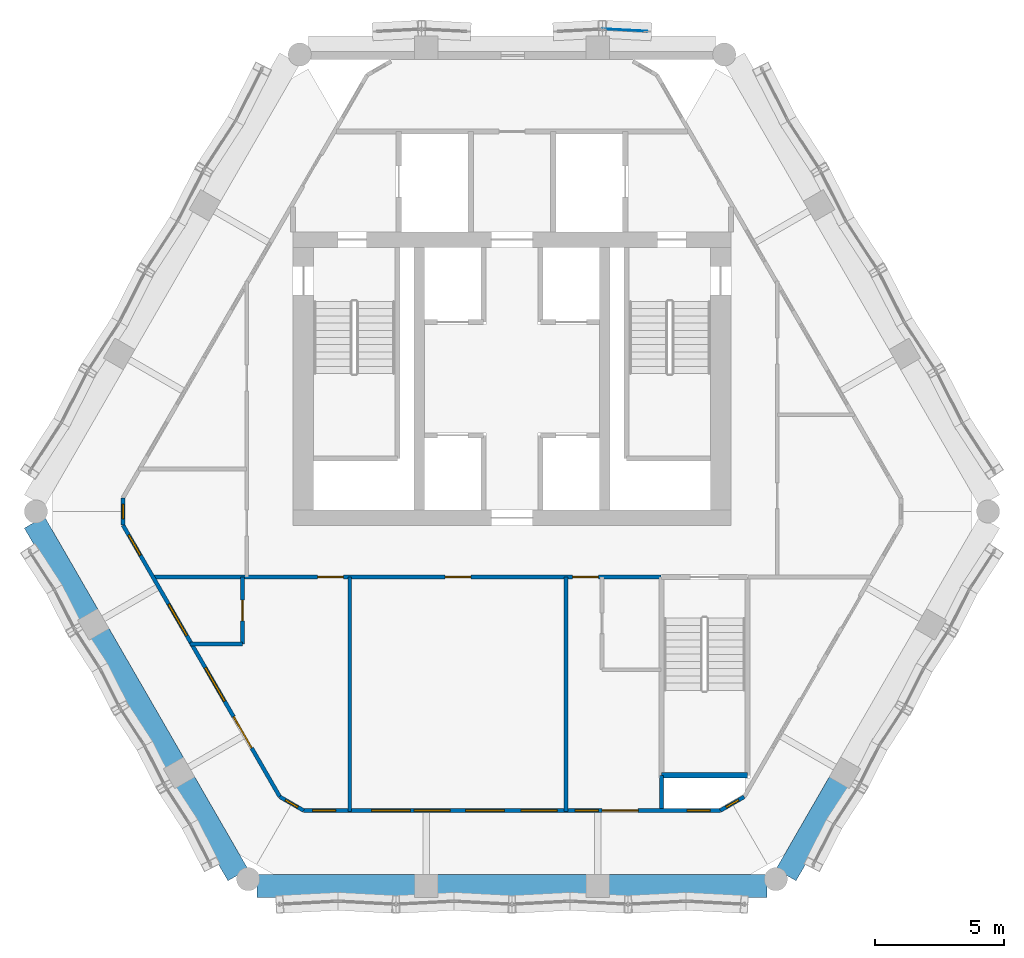
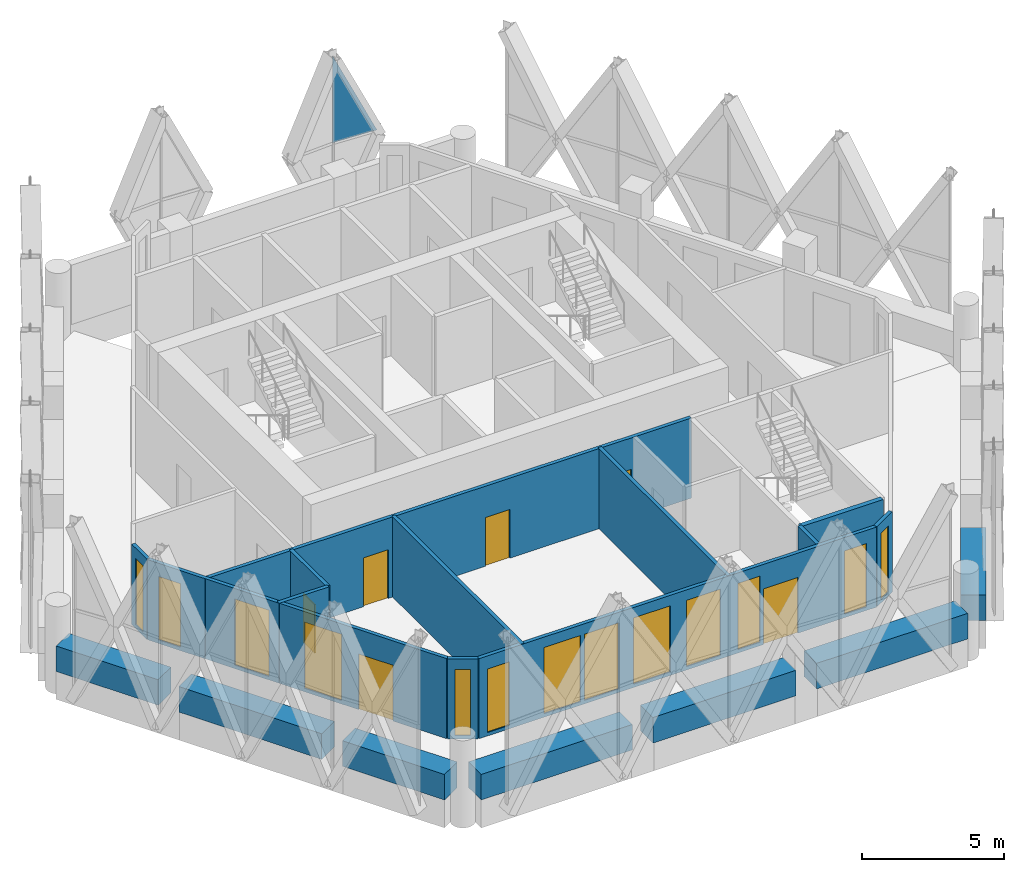
# One storey, part 18 of 27: 19 walls, 13 windows, 6 doors, 1 plate, 19 openings, 1 element without a shape of its own.
"""IFC4 building model written with IfcOpenShell, lengths in metres."""

from ifc_helpers import new_model, si_unit, direction, frame, frame_2d, origin, place, context, subcontext, project, spatial, polyline, rectangle, outline, extrude, material, layer, layer_set, type_object, element, fill, aggregate, save


model = new_model("IFC4")

# Units and contexts
model_context = context("Model", 3, precision=1e-05, world=origin(), true_north=direction((0.0, 1.0)))
body_context = subcontext(model_context, "Body", "Model", "MODEL_VIEW")
ifc_project = project(units=[si_unit("LENGTHUNIT", "METRE"), si_unit("AREAUNIT", "SQUARE_METRE"), si_unit("VOLUMEUNIT", "CUBIC_METRE"), si_unit("PLANEANGLEUNIT", "RADIAN"), si_unit("MASSUNIT", "GRAM", prefix="KILO")], contexts=[model_context])

# Site, building, storey
site_placement = place(None, origin())
site = spatial("IfcSite", under=ifc_project, at=site_placement, CompositionType="ELEMENT")
building_placement = place(site_placement, origin())
building = spatial("IfcBuilding", under=site, at=building_placement, Name="Ostrander Bayou Hotel Tower", CompositionType="ELEMENT")
storey_placement = place(building_placement, frame((0.0, 0.0, 267.5)))
storey = spatial("IfcBuildingStorey", under=building, at=storey_placement, Name="L66", CompositionType="ELEMENT", Elevation=267.5)

# Curtain wall, plate
ifc_material_1 = material(Name="Aluminium and clear glass", Category="aluminium")
curtain_wall_type = type_object("IfcCurtainWallType", Name="CW-LAT lattice glazing", PredefinedType="NOTDEFINED", material=ifc_material_1)
curtain_wall_placement = place(storey_placement, origin())
curtain_wall = element("IfcCurtainWall", 1, at=curtain_wall_placement, inside=storey, type_object=curtain_wall_type, Name="CW-LAT L66 N 2", PredefinedType="NOTDEFINED")
ifc_material_2 = material(Name="Clear laminated glass", Category="glass")
ifc_layer_1 = layer(ifc_material_2, 0.028076171875)
ifc_layer_set_1 = layer_set([ifc_layer_1], Name="CW-LA glazing panel 28 mm")
plate_type = type_object("IfcPlateType", Name="CW-LA glazing panel 28 mm", PredefinedType="CURTAIN_PANEL", material=ifc_layer_set_1)
plate_placement = place(storey_placement, frame((5.262939453125, 17.47802734375, 3.14990234375), z_axis=(-0.052391072232, -0.998626644723, 0.0), x_axis=(-0.423652222488, 0.022226118547, 0.905552203926)))
plate = element("IfcPlate", 2, at=plate_placement, type_object=plate_type, Name="CW-LAT panel 2", PredefinedType="CURTAIN_PANEL", context=body_context, shape_type="SweptSolid", body=[
    extrude(outline(polyline([(0.0, 0.0), (4.141119621531983, 2.220446049250313e-16), (0.7452988568090202, 1.5908806787048353), (0.0, 0.0)])), origin(), (0.0, 0.0, -1.0), 0.028076171875),
])
aggregate(curtain_wall, [plate])

# Wall, openings, door, windows
ifc_material_3 = material(Name="Aluminium framed insulated wall", Category="aluminium")
ifc_layer_2 = layer(ifc_material_3, 0.14990234375)
ifc_layer_set_2 = layer_set([ifc_layer_2], Name="GW1 glass-line wall 150 mm")
wall_type_1 = type_object("IfcWallType", Name="GW1 glass-line wall 150 mm", PredefinedType="SOLIDWALL", material=ifc_layer_set_2)
wall_1_placement = place(storey_placement, frame((-15.10400390625, -1.68896484375, 0.0), z_axis=(0.0, 0.0, 1.0), x_axis=(0.499998361514, -0.866026349763, 0.0)))
wall_1 = element("IfcWall", 3, at=wall_1_placement, inside=storey, type_object=wall_type_1, Name="GW1 L66 SW 1", PredefinedType="SOLIDWALL", context=body_context, shape_type="SweptSolid", body=[
    extrude(rectangle(XDim=12.1787109375, YDim=0.14990234375, at=frame_2d((6.08935546875, 0.0))), origin(), (0.0, 0.0, 1.0), 3.449951171875),
])
opening_1_placement = place(wall_1_placement, frame((3.54833984375, 0.0, 0.14990234375)))
opening_1 = element("IfcOpeningElement", 4, at=opening_1_placement, cuts=wall_1, Name="Opening W14", PredefinedType="OPENING", context=body_context, shape_type="SweptSolid", body=[
    extrude(rectangle(XDim=1.39990234375, YDim=2.85009765625, at=frame_2d((0.699951171875, 1.425048828125))), frame((0.0, 0.074951171875, 0.0), z_axis=(0.0, -1.0, 0.0), x_axis=(1.0, 0.0, 0.0)), (0.0, 0.0, 1.0), 0.14990234375),
])
opening_2_placement = place(wall_1_placement, frame((6.389404296875, 0.0, 0.14990234375)))
opening_2 = element("IfcOpeningElement", 5, at=opening_2_placement, cuts=wall_1, Name="Opening W4", PredefinedType="OPENING", context=body_context, shape_type="SweptSolid", body=[
    extrude(rectangle(XDim=1.5, YDim=2.85009765625, at=frame_2d((0.75, 1.425048828125))), frame((0.0, 0.074951171875, 0.0), z_axis=(0.0, -1.0, 0.0), x_axis=(1.0, 0.0, 0.0)), (0.0, 0.0, 1.0), 0.14990234375),
])
opening_3_placement = place(wall_1_placement, frame((8.58935546875, 0.0, 0.0)))
opening_3 = element("IfcOpeningElement", 6, at=opening_3_placement, cuts=wall_1, Name="Opening T66-801", PredefinedType="OPENING", context=body_context, shape_type="SweptSolid", body=[
    extrude(rectangle(XDim=1.39990234375, YDim=2.39990234375, at=frame_2d((0.699951171875, 1.199951171875))), frame((0.0, 0.074951171875, 0.0), z_axis=(0.0, -1.0, 0.0), x_axis=(1.0, 0.0, 0.0)), (0.0, 0.0, 1.0), 0.14990234375),
])
opening_4_placement = place(wall_1_placement, frame((0.444580078125, 0.0, 0.14990234375)))
opening_4 = element("IfcOpeningElement", 7, at=opening_4_placement, cuts=wall_1, Name="Opening W18", PredefinedType="OPENING", context=body_context, shape_type="SweptSolid", body=[
    extrude(rectangle(XDim=0.89990234375, YDim=2.72998046875, at=frame_2d((0.449951171875, 1.364990234375))), frame((0.0, 0.074951171875, 0.0), z_axis=(0.0, -1.0, 0.0), x_axis=(1.0, 0.0, 0.0)), (0.0, 0.0, 1.0), 0.14990234375),
])
ifc_material_4 = material(Name="Aluminium and clear glass", Category="aluminium")
door_type_1 = type_object("IfcDoorType", Name="SD4 sliding glass door 1400 mm, zone 4", OperationType="SLIDING_TO_LEFT", PredefinedType="DOOR", material=ifc_material_4)
door_1_placement = place(opening_3_placement, origin())
door_1 = element("IfcDoor", 8, at=door_1_placement, inside=storey, type_object=door_type_1, Name="SD4 L66 SW 2", OperationType="SLIDING_TO_RIGHT", OverallHeight=2.39990234375, OverallWidth=1.39990234375, PredefinedType="DOOR", context=body_context, shape_type="SweptSolid", body=[
    extrude(rectangle(XDim=1.39990234375, YDim=2.39990234375, at=frame_2d((0.699951171875, 1.199951171875))), frame((0.0, 0.02490234375, 0.0), z_axis=(0.0, -1.0, 0.0), x_axis=(1.0, 0.0, 0.0)), (0.0, 0.0, 1.0), 0.050048828125),
])
fill(opening_3, door_1)
ifc_material_5 = material(Name="Aluminium and clear glass", Category="aluminium")
window_type_1 = type_object("IfcWindowType", Name="W14 fixed window 1400 mm, bath bay, zone 4", PartitioningType="SINGLE_PANEL", PredefinedType="WINDOW", material=ifc_material_5)
window_1_placement = place(opening_1_placement, origin())
window_1 = element("IfcWindow", 9, at=window_1_placement, inside=storey, type_object=window_type_1, Name="W14 L66 SW 1", OverallHeight=2.85009765625, OverallWidth=1.39990234375, PartitioningType="SINGLE_PANEL", PredefinedType="WINDOW", context=body_context, shape_type="SweptSolid", body=[
    extrude(rectangle(XDim=1.39990234375, YDim=2.85009765625, at=frame_2d((0.699951171875, 1.425048828125))), frame((0.0, 0.030029296875, 0.0), z_axis=(0.0, -1.0, 0.0), x_axis=(1.0, 0.0, 0.0)), (0.0, 0.0, 1.0), 0.06005859375),
])
fill(opening_1, window_1)
ifc_material_6 = material(Name="Aluminium and clear glass", Category="aluminium")
window_type_2 = type_object("IfcWindowType", Name="W18 window 900 mm, zone 4", PartitioningType="SINGLE_PANEL", PredefinedType="WINDOW", material=ifc_material_6)
window_2_placement = place(opening_4_placement, origin())
window_2 = element("IfcWindow", 10, at=window_2_placement, inside=storey, type_object=window_type_2, Name="W18 L66 SW E11", OverallHeight=2.72998046875, OverallWidth=0.89990234375, PartitioningType="SINGLE_PANEL", PredefinedType="WINDOW", context=body_context, shape_type="SweptSolid", body=[
    extrude(rectangle(XDim=0.89990234375, YDim=2.72998046875, at=frame_2d((0.449951171875, 1.364990234375))), frame((0.0, 0.030029296875, 0.0), z_axis=(0.0, -1.0, 0.0), x_axis=(1.0, 0.0, 0.0)), (0.0, 0.0, 1.0), 0.06005859375),
])
fill(opening_4, window_2)
ifc_material_7 = material(Name="Aluminium and clear glass", Category="aluminium")
window_type_3 = type_object("IfcWindowType", Name="W4 fixed window 1500 mm, zone 4", PartitioningType="SINGLE_PANEL", PredefinedType="WINDOW", material=ifc_material_7)
window_3_placement = place(opening_2_placement, origin())
window_3 = element("IfcWindow", 11, at=window_3_placement, inside=storey, type_object=window_type_3, Name="W4 L66 SW 2", OverallHeight=2.85009765625, OverallWidth=1.5, PartitioningType="SINGLE_PANEL", PredefinedType="WINDOW", context=body_context, shape_type="SweptSolid", body=[
    extrude(rectangle(XDim=1.5, YDim=2.85009765625, at=frame_2d((0.75, 1.425048828125))), frame((0.0, 0.030029296875, 0.0), z_axis=(0.0, -1.0, 0.0), x_axis=(1.0, 0.0, 0.0)), (0.0, 0.0, 1.0), 0.06005859375),
])
fill(opening_2, window_3)

wall_2_placement = place(storey_placement, frame((-8.09228515625, -12.7685546875, 0.0), z_axis=(0.0, 0.0, 1.0), x_axis=(1.0, 0.0, 0.0)))
wall_2 = element("IfcWall", 12, at=wall_2_placement, inside=storey, type_object=wall_type_1, Name="GW1 L66 S 1", PredefinedType="SOLIDWALL", context=body_context, shape_type="SweptSolid", body=[
    extrude(rectangle(XDim=16.1845703125, YDim=0.14990234375, at=frame_2d((8.09228515625, 0.0))), origin(), (0.0, 0.0, 1.0), 3.449951171875),
])
opening_5_placement = place(wall_2_placement, frame((2.642333984375, 0.0, 0.14990234375)))
opening_5 = element("IfcOpeningElement", 13, at=opening_5_placement, cuts=wall_2, Name="Opening W4", PredefinedType="OPENING", context=body_context, shape_type="SweptSolid", body=[
    extrude(rectangle(XDim=1.5, YDim=2.85009765625, at=frame_2d((0.75, 1.425048828125))), frame((0.0, 0.074951171875, 0.0), z_axis=(0.0, -1.0, 0.0), x_axis=(1.0, 0.0, 0.0)), (0.0, 0.0, 1.0), 0.14990234375),
])
opening_6_placement = place(wall_2_placement, frame((4.29248046875, 0.0, 0.14990234375)))
opening_6 = element("IfcOpeningElement", 14, at=opening_6_placement, cuts=wall_2, Name="Opening W14", PredefinedType="OPENING", context=body_context, shape_type="SweptSolid", body=[
    extrude(rectangle(XDim=1.39990234375, YDim=2.85009765625, at=frame_2d((0.699951171875, 1.425048828125))), frame((0.0, 0.074951171875, 0.0), z_axis=(0.0, -1.0, 0.0), x_axis=(1.0, 0.0, 0.0)), (0.0, 0.0, 1.0), 0.14990234375),
])
opening_7_placement = place(wall_2_placement, frame((6.29248046875, 0.0, 0.14990234375)))
opening_7 = element("IfcOpeningElement", 15, at=opening_7_placement, cuts=wall_2, Name="Opening W4", PredefinedType="OPENING", context=body_context, shape_type="SweptSolid", body=[
    extrude(rectangle(XDim=1.5, YDim=2.85009765625, at=frame_2d((0.75, 1.425048828125))), frame((0.0, 0.074951171875, 0.0), z_axis=(0.0, -1.0, 0.0), x_axis=(1.0, 0.0, 0.0)), (0.0, 0.0, 1.0), 0.14990234375),
])
opening_8_placement = place(wall_2_placement, frame((8.4423828125, 0.0, 0.14990234375)))
opening_8 = element("IfcOpeningElement", 16, at=opening_8_placement, cuts=wall_2, Name="Opening W14", PredefinedType="OPENING", context=body_context, shape_type="SweptSolid", body=[
    extrude(rectangle(XDim=1.39990234375, YDim=2.85009765625, at=frame_2d((0.699951171875, 1.425048828125))), frame((0.0, 0.074951171875, 0.0), z_axis=(0.0, -1.0, 0.0), x_axis=(1.0, 0.0, 0.0)), (0.0, 0.0, 1.0), 0.14990234375),
])
opening_9_placement = place(wall_2_placement, frame((10.54248046875, 0.0, 0.14990234375)))
opening_9 = element("IfcOpeningElement", 17, at=opening_9_placement, cuts=wall_2, Name="Opening W18", PredefinedType="OPENING", context=body_context, shape_type="SweptSolid", body=[
    extrude(rectangle(XDim=0.89990234375, YDim=2.85009765625, at=frame_2d((0.449951171875, 1.425048828125))), frame((0.0, 0.074951171875, 0.0), z_axis=(0.0, -1.0, 0.0), x_axis=(1.0, 0.0, 0.0)), (0.0, 0.0, 1.0), 0.14990234375),
])
opening_10_placement = place(wall_2_placement, frame((11.59228515625, 0.0, 0.0)))
opening_10 = element("IfcOpeningElement", 18, at=opening_10_placement, cuts=wall_2, Name="Opening T66-802", PredefinedType="OPENING", context=body_context, shape_type="SweptSolid", body=[
    extrude(rectangle(XDim=1.39990234375, YDim=2.39990234375, at=frame_2d((0.699951171875, 1.199951171875))), frame((0.0, 0.074951171875, 0.0), z_axis=(0.0, -1.0, 0.0), x_axis=(1.0, 0.0, 0.0)), (0.0, 0.0, 1.0), 0.14990234375),
])
opening_11_placement = place(wall_2_placement, frame((0.34619140625, 0.0, 0.14990234375)))
opening_11 = element("IfcOpeningElement", 19, at=opening_11_placement, cuts=wall_2, Name="Opening W18", PredefinedType="OPENING", context=body_context, shape_type="SweptSolid", body=[
    extrude(rectangle(XDim=0.89990234375, YDim=2.72998046875, at=frame_2d((0.449951171875, 1.364990234375))), frame((0.0, 0.074951171875, 0.0), z_axis=(0.0, -1.0, 0.0), x_axis=(1.0, 0.0, 0.0)), (0.0, 0.0, 1.0), 0.14990234375),
])
opening_12_placement = place(wall_2_placement, frame((14.888671875, 0.0, 0.14990234375)))
opening_12 = element("IfcOpeningElement", 20, at=opening_12_placement, cuts=wall_2, Name="Opening W18", PredefinedType="OPENING", context=body_context, shape_type="SweptSolid", body=[
    extrude(rectangle(XDim=0.89990234375, YDim=2.72998046875, at=frame_2d((0.449951171875, 1.364990234375))), frame((0.0, 0.074951171875, 0.0), z_axis=(0.0, -1.0, 0.0), x_axis=(1.0, 0.0, 0.0)), (0.0, 0.0, 1.0), 0.14990234375),
])
door_2_placement = place(opening_10_placement, origin())
door_2 = element("IfcDoor", 21, at=door_2_placement, inside=storey, type_object=door_type_1, Name="SD4 L66 S 3", OperationType="SLIDING_TO_LEFT", OverallHeight=2.39990234375, OverallWidth=1.39990234375, PredefinedType="DOOR", context=body_context, shape_type="SweptSolid", body=[
    extrude(rectangle(XDim=1.39990234375, YDim=2.39990234375, at=frame_2d((0.699951171875, 1.199951171875))), frame((0.0, 0.02490234375, 0.0), z_axis=(0.0, -1.0, 0.0), x_axis=(1.0, 0.0, 0.0)), (0.0, 0.0, 1.0), 0.050048828125),
])
fill(opening_10, door_2)
window_4_placement = place(opening_6_placement, origin())
window_4 = element("IfcWindow", 22, at=window_4_placement, inside=storey, type_object=window_type_1, Name="W14 L66 S 1", OverallHeight=2.85009765625, OverallWidth=1.39990234375, PartitioningType="SINGLE_PANEL", PredefinedType="WINDOW", context=body_context, shape_type="SweptSolid", body=[
    extrude(rectangle(XDim=1.39990234375, YDim=2.85009765625, at=frame_2d((0.699951171875, 1.425048828125))), frame((0.0, 0.030029296875, 0.0), z_axis=(0.0, -1.0, 0.0), x_axis=(1.0, 0.0, 0.0)), (0.0, 0.0, 1.0), 0.06005859375),
])
fill(opening_6, window_4)
window_5_placement = place(opening_8_placement, origin())
window_5 = element("IfcWindow", 23, at=window_5_placement, inside=storey, type_object=window_type_1, Name="W14 L66 S 2", OverallHeight=2.85009765625, OverallWidth=1.39990234375, PartitioningType="SINGLE_PANEL", PredefinedType="WINDOW", context=body_context, shape_type="SweptSolid", body=[
    extrude(rectangle(XDim=1.39990234375, YDim=2.85009765625, at=frame_2d((0.699951171875, 1.425048828125))), frame((0.0, 0.030029296875, 0.0), z_axis=(0.0, -1.0, 0.0), x_axis=(1.0, 0.0, 0.0)), (0.0, 0.0, 1.0), 0.06005859375),
])
fill(opening_8, window_5)
window_6_placement = place(opening_9_placement, origin())
window_6 = element("IfcWindow", 24, at=window_6_placement, inside=storey, type_object=window_type_2, Name="W18 L66 S 3", OverallHeight=2.85009765625, OverallWidth=0.89990234375, PartitioningType="SINGLE_PANEL", PredefinedType="WINDOW", context=body_context, shape_type="SweptSolid", body=[
    extrude(rectangle(XDim=0.89990234375, YDim=2.85009765625, at=frame_2d((0.449951171875, 1.425048828125))), frame((0.0, 0.030029296875, 0.0), z_axis=(0.0, -1.0, 0.0), x_axis=(1.0, 0.0, 0.0)), (0.0, 0.0, 1.0), 0.06005859375),
])
fill(opening_9, window_6)
window_7_placement = place(opening_11_placement, origin())
window_7 = element("IfcWindow", 25, at=window_7_placement, inside=storey, type_object=window_type_2, Name="W18 L66 S E11", OverallHeight=2.72998046875, OverallWidth=0.89990234375, PartitioningType="SINGLE_PANEL", PredefinedType="WINDOW", context=body_context, shape_type="SweptSolid", body=[
    extrude(rectangle(XDim=0.89990234375, YDim=2.72998046875, at=frame_2d((0.449951171875, 1.364990234375))), frame((0.0, 0.030029296875, 0.0), z_axis=(0.0, -1.0, 0.0), x_axis=(1.0, 0.0, 0.0)), (0.0, 0.0, 1.0), 0.06005859375),
])
fill(opening_11, window_7)
window_8_placement = place(opening_12_placement, origin())
window_8 = element("IfcWindow", 26, at=window_8_placement, inside=storey, type_object=window_type_2, Name="W18 L66 S E21", OverallHeight=2.72998046875, OverallWidth=0.89990234375, PartitioningType="SINGLE_PANEL", PredefinedType="WINDOW", context=body_context, shape_type="SweptSolid", body=[
    extrude(rectangle(XDim=0.89990234375, YDim=2.72998046875, at=frame_2d((0.449951171875, 1.364990234375))), frame((0.0, 0.030029296875, 0.0), z_axis=(0.0, -1.0, 0.0), x_axis=(1.0, 0.0, 0.0)), (0.0, 0.0, 1.0), 0.06005859375),
])
fill(opening_12, window_8)
window_9_placement = place(opening_5_placement, origin())
window_9 = element("IfcWindow", 27, at=window_9_placement, inside=storey, type_object=window_type_3, Name="W4 L66 S 1", OverallHeight=2.85009765625, OverallWidth=1.5, PartitioningType="SINGLE_PANEL", PredefinedType="WINDOW", context=body_context, shape_type="SweptSolid", body=[
    extrude(rectangle(XDim=1.5, YDim=2.85009765625, at=frame_2d((0.75, 1.425048828125))), frame((0.0, 0.030029296875, 0.0), z_axis=(0.0, -1.0, 0.0), x_axis=(1.0, 0.0, 0.0)), (0.0, 0.0, 1.0), 0.06005859375),
])
fill(opening_5, window_9)
window_10_placement = place(opening_7_placement, origin())
window_10 = element("IfcWindow", 28, at=window_10_placement, inside=storey, type_object=window_type_3, Name="W4 L66 S 2", OverallHeight=2.85009765625, OverallWidth=1.5, PartitioningType="SINGLE_PANEL", PredefinedType="WINDOW", context=body_context, shape_type="SweptSolid", body=[
    extrude(rectangle(XDim=1.5, YDim=2.85009765625, at=frame_2d((0.75, 1.425048828125))), frame((0.0, 0.030029296875, 0.0), z_axis=(0.0, -1.0, 0.0), x_axis=(1.0, 0.0, 0.0)), (0.0, 0.0, 1.0), 0.06005859375),
])
fill(opening_7, window_10)

# Wall, opening, window
wall_3_placement = place(storey_placement, frame((-15.10400390625, -0.6240234375, 0.0), z_axis=(0.0, 0.0, 1.0), x_axis=(0.0, -1.0, 0.0)))
wall_3 = element("IfcWall", 29, at=wall_3_placement, inside=storey, type_object=wall_type_1, Name="GW1 L66 corner 2", PredefinedType="SOLIDWALL", context=body_context, shape_type="SweptSolid", body=[
    extrude(rectangle(XDim=1.06494140625, YDim=0.14990234375, at=frame_2d((0.532470703125, 0.0))), origin(), (0.0, 0.0, 1.0), 3.449951171875),
])
opening_13_placement = place(wall_3_placement, frame((0.257568359375, 0.0, 0.14990234375)))
opening_13 = element("IfcOpeningElement", 30, at=opening_13_placement, cuts=wall_3, Name="Opening W19", PredefinedType="OPENING", context=body_context, shape_type="SweptSolid", body=[
    extrude(rectangle(XDim=0.550048828125, YDim=2.85009765625, at=frame_2d((0.27490234375, 1.425048828125))), frame((0.0, 0.074951171875, 0.0), z_axis=(0.0, -1.0, 0.0), x_axis=(1.0, 0.0, 0.0)), (0.0, 0.0, 1.0), 0.14990234375),
])
ifc_material_8 = material(Name="Aluminium and clear glass", Category="aluminium")
window_type_4 = type_object("IfcWindowType", Name="W19 corner window 550 mm", PartitioningType="SINGLE_PANEL", PredefinedType="WINDOW", material=ifc_material_8)
window_11_placement = place(opening_13_placement, origin())
window_11 = element("IfcWindow", 31, at=window_11_placement, inside=storey, type_object=window_type_4, Name="W19 L66 corner 2", OverallHeight=2.85009765625, OverallWidth=0.550048828125, PartitioningType="SINGLE_PANEL", PredefinedType="WINDOW", context=body_context, shape_type="SweptSolid", body=[
    extrude(rectangle(XDim=0.550048828125, YDim=2.85009765625, at=frame_2d((0.27490234375, 1.425048828125))), frame((0.0, 0.030029296875, 0.0), z_axis=(0.0, -1.0, 0.0), x_axis=(1.0, 0.0, 0.0)), (0.0, 0.0, 1.0), 0.06005859375),
])
fill(opening_13, window_11)

wall_4_placement = place(storey_placement, frame((-9.0146484375, -12.236083984375, 0.0), z_axis=(0.0, 0.0, 1.0), x_axis=(0.866048165231, -0.499960573946, 0.0)))
wall_4 = element("IfcWall", 32, at=wall_4_placement, inside=storey, type_object=wall_type_1, Name="GW1 L66 corner 3", PredefinedType="SOLIDWALL", context=body_context, shape_type="SweptSolid", body=[
    extrude(rectangle(XDim=1.06494140625, YDim=0.14990234375, at=frame_2d((0.532470703125, 0.0))), origin(), (0.0, 0.0, 1.0), 3.449951171875),
])
opening_14_placement = place(wall_4_placement, frame((0.257568359375, 0.0, 0.14990234375)))
opening_14 = element("IfcOpeningElement", 33, at=opening_14_placement, cuts=wall_4, Name="Opening W19", PredefinedType="OPENING", context=body_context, shape_type="SweptSolid", body=[
    extrude(rectangle(XDim=0.550048828125, YDim=2.85009765625, at=frame_2d((0.27490234375, 1.425048828125))), frame((0.0, 0.074951171875, 0.0), z_axis=(0.0, -1.0, 0.0), x_axis=(1.0, 0.0, 0.0)), (0.0, 0.0, 1.0), 0.14990234375),
])
window_12_placement = place(opening_14_placement, origin())
window_12 = element("IfcWindow", 34, at=window_12_placement, inside=storey, type_object=window_type_4, Name="W19 L66 corner 3", OverallHeight=2.85009765625, OverallWidth=0.550048828125, PartitioningType="SINGLE_PANEL", PredefinedType="WINDOW", context=body_context, shape_type="SweptSolid", body=[
    extrude(rectangle(XDim=0.550048828125, YDim=2.85009765625, at=frame_2d((0.27490234375, 1.425048828125))), frame((0.0, 0.030029296875, 0.0), z_axis=(0.0, -1.0, 0.0), x_axis=(1.0, 0.0, 0.0)), (0.0, 0.0, 1.0), 0.06005859375),
])
fill(opening_14, window_12)

wall_5_placement = place(storey_placement, frame((8.09228515625, -12.7685546875, 0.0), z_axis=(0.0, 0.0, 1.0), x_axis=(0.866048165231, 0.499960573946, 0.0)))
wall_5 = element("IfcWall", 35, at=wall_5_placement, inside=storey, type_object=wall_type_1, Name="GW1 L66 corner 4", PredefinedType="SOLIDWALL", context=body_context, shape_type="SweptSolid", body=[
    extrude(rectangle(XDim=1.06494140625, YDim=0.14990234375, at=frame_2d((0.532470703125, 0.0))), origin(), (0.0, 0.0, 1.0), 3.449951171875),
])
opening_15_placement = place(wall_5_placement, frame((0.257568359375, 0.0, 0.14990234375)))
opening_15 = element("IfcOpeningElement", 36, at=opening_15_placement, cuts=wall_5, Name="Opening W19", PredefinedType="OPENING", context=body_context, shape_type="SweptSolid", body=[
    extrude(rectangle(XDim=0.550048828125, YDim=2.85009765625, at=frame_2d((0.27490234375, 1.425048828125))), frame((0.0, 0.074951171875, 0.0), z_axis=(0.0, -1.0, 0.0), x_axis=(1.0, 0.0, 0.0)), (0.0, 0.0, 1.0), 0.14990234375),
])
window_13_placement = place(opening_15_placement, origin())
window_13 = element("IfcWindow", 37, at=window_13_placement, inside=storey, type_object=window_type_4, Name="W19 L66 corner 4", OverallHeight=2.85009765625, OverallWidth=0.550048828125, PartitioningType="SINGLE_PANEL", PredefinedType="WINDOW", context=body_context, shape_type="SweptSolid", body=[
    extrude(rectangle(XDim=0.550048828125, YDim=2.85009765625, at=frame_2d((0.27490234375, 1.425048828125))), frame((0.0, 0.030029296875, 0.0), z_axis=(0.0, -1.0, 0.0), x_axis=(1.0, 0.0, 0.0)), (0.0, 0.0, 1.0), 0.06005859375),
])
fill(opening_15, window_13)

# Walls
ifc_material_9 = material(Name="Concrete f'c 40 MPa", Category="concrete")
ifc_layer_3 = layer(ifc_material_9, 0.89990234375)
ifc_layer_set_3 = layer_set([ifc_layer_3], Name="PA1 stone-faced parapet 900 mm")
wall_type_2 = type_object("IfcWallType", Name="PA1 stone-faced parapet 900 mm", PredefinedType="PARAPET", material=ifc_layer_set_3)
wall_6_placement = place(storey_placement, frame((-9.90869140625, -15.693603515625, 0.0), z_axis=(0.0, 0.0, 1.0), x_axis=(1.0, 0.0, 0.0)))
element("IfcWall", 38, at=wall_6_placement, inside=storey, type_object=wall_type_2, Name="PA1 L66 S-1", PredefinedType="PARAPET", context=body_context, shape_type="SweptSolid", body=[
    extrude(rectangle(XDim=6.1591796875, YDim=0.89990234375, at=frame_2d((3.07958984375, 0.0))), origin(), (0.0, 0.0, 1.0), 1.10009765625),
])
wall_7_placement = place(storey_placement, frame((-2.909423828125, -15.693603515625, 0.0), z_axis=(0.0, 0.0, 1.0), x_axis=(1.0, 0.0, 0.0)))
element("IfcWall", 39, at=wall_7_placement, inside=storey, type_object=wall_type_2, Name="PA1 L66 S-2", PredefinedType="PARAPET", context=body_context, shape_type="SweptSolid", body=[
    extrude(rectangle(XDim=5.81884765625, YDim=0.89990234375, at=frame_2d((2.909423828125, 0.0))), origin(), (0.0, 0.0, 1.0), 1.10009765625),
])
wall_8_placement = place(storey_placement, frame((3.74951171875, -15.693603515625, 0.0), z_axis=(0.0, 0.0, 1.0), x_axis=(1.0, 0.0, 0.0)))
element("IfcWall", 40, at=wall_8_placement, inside=storey, type_object=wall_type_2, Name="PA1 L66 S-3", PredefinedType="PARAPET", context=body_context, shape_type="SweptSolid", body=[
    extrude(rectangle(XDim=6.1591796875, YDim=0.89990234375, at=frame_2d((3.07958984375, 0.0))), origin(), (0.0, 0.0, 1.0), 1.10009765625),
])
ifc_material_10 = material(Name="Limestone masonry", Category="masonry")
ifc_layer_4 = layer(ifc_material_10, 0.89990234375)
ifc_layer_set_4 = layer_set([ifc_layer_4], Name="PA2 limestone parapet 900 mm")
wall_type_3 = type_object("IfcWallType", Name="PA2 limestone parapet 900 mm", PredefinedType="PARAPET", material=ifc_layer_set_4)
wall_9_placement = place(storey_placement, frame((-18.54541015625, -1.578369140625, 0.0), z_axis=(0.0, 0.0, 1.0), x_axis=(0.499980071345, -0.866036909293, 0.0)))
element("IfcWall", 41, at=wall_9_placement, inside=storey, type_object=wall_type_3, Name="PA2 L66 SW-1", PredefinedType="PARAPET", context=body_context, shape_type="SweptSolid", body=[
    extrude(rectangle(XDim=4.156494140625, YDim=0.89990234375, at=frame_2d((2.078125, 0.0))), origin(), (0.0, 0.0, 1.0), 1.10009765625),
])
wall_10_placement = place(storey_placement, frame((-16.047119140625, -5.905517578125, 0.0), z_axis=(0.0, 0.0, 1.0), x_axis=(0.500015433515, -0.866016493057, 0.0)))
element("IfcWall", 42, at=wall_10_placement, inside=storey, type_object=wall_type_3, Name="PA2 L66 SW-2", PredefinedType="PARAPET", context=body_context, shape_type="SweptSolid", body=[
    extrude(rectangle(XDim=5.818603515625, YDim=0.89990234375, at=frame_2d((2.9091796875, 0.0))), origin(), (0.0, 0.0, 1.0), 1.10009765625),
])
for number, where, z_axis, x_axis, name in (
    (43, (-12.7177734375, -11.672119140625, 0.0), (0.0, 0.0, 1.0), (0.50000550616, -0.866022224778, 0.0), "PA2 L66 SW-3"),
    (44, (10.6396484375, -15.271484375, 0.0), (0.0, 0.0, 1.0), (0.50000550616, 0.866022224778, 0.0), "PA2 L66 SE-1"),
):
    element("IfcWall", number, at=place(storey_placement, frame(where, z_axis=z_axis, x_axis=x_axis)), inside=storey, type_object=wall_type_3, Name=name, PredefinedType="PARAPET", context=body_context, shape_type="SweptSolid", body=[
        extrude(rectangle(XDim=4.15625, YDim=0.89990234375, at=frame_2d((2.078125, 0.0))), origin(), (0.0, 0.0, 1.0), 1.10009765625),
    ])
ifc_material_11 = material(Name="Gypsum board partition", Category="finish")
ifc_layer_5 = layer(ifc_material_11, 0.14990234375)
ifc_layer_set_5 = layer_set([ifc_layer_5], Name="PT7 riser wall 150 mm, 2 hour")
wall_type_4 = type_object("IfcWallType", Name="PT7 riser wall 150 mm, 2 hour", PredefinedType="PARTITIONING", material=ifc_layer_set_5)
wall_11_placement = place(storey_placement, frame((5.800048828125, -11.39990234375, 0.0), z_axis=(0.0, 0.0, 1.0), x_axis=(0.0, -1.0, 0.0)))
element("IfcWall", 45, at=wall_11_placement, inside=storey, type_object=wall_type_4, Name="cs:L66:017", PredefinedType="PARTITIONING", context=body_context, shape_type="SweptSolid", body=[
    extrude(rectangle(XDim=1.293701171875, YDim=0.14990234375, at=frame_2d((0.64697265625, 0.0))), origin(), (0.0, 0.0, 1.0), 3.449951171875),
])
ifc_material_12 = material(Name="Gypsum board partition", Category="finish")
ifc_layer_6 = layer(ifc_material_12, 0.14990234375)
ifc_layer_set_6 = layer_set([ifc_layer_6], Name="PT8 service band wall 150 mm, 1 hour")
wall_type_5 = type_object("IfcWallType", Name="PT8 service band wall 150 mm, 1 hour", PredefinedType="PARTITIONING", material=ifc_layer_set_6)
wall_12_placement = place(storey_placement, frame((-12.493896484375, -6.300048828125, 0.0), z_axis=(0.0, 0.0, 1.0), x_axis=(1.0, 0.0, 0.0)))
element("IfcWall", 46, at=wall_12_placement, inside=storey, type_object=wall_type_5, Name="gw:L66:002", PredefinedType="PARTITIONING", context=body_context, shape_type="SweptSolid", body=[
    extrude(rectangle(XDim=2.02880859375, YDim=0.14990234375, at=frame_2d((1.014404296875, 0.0))), origin(), (0.0, 0.0, 1.0), 3.449951171875),
])

# Wall, openings, doors
wall_13_placement = place(storey_placement, frame((-13.9951171875, -3.699951171875, 0.0), z_axis=(0.0, 0.0, 1.0), x_axis=(1.0, 0.0, 0.0)))
wall_13 = element("IfcWall", 47, at=wall_13_placement, inside=storey, type_object=wall_type_5, Name="gw:L66:003", PredefinedType="PARTITIONING", context=body_context, shape_type="SweptSolid", body=[
    extrude(rectangle(XDim=19.78515625, YDim=0.14990234375, at=frame_2d((9.892578125, 0.0))), origin(), (0.0, 0.0, 1.0), 3.449951171875),
])
opening_16_placement = place(wall_13_placement, frame((11.39501953125, 0.0, 0.0)))
opening_16 = element("IfcOpeningElement", 48, at=opening_16_placement, cuts=wall_13, Name="Opening T66-400", PredefinedType="OPENING", context=body_context, shape_type="SweptSolid", body=[
    extrude(rectangle(XDim=1.0, YDim=2.10009765625, at=frame_2d((0.5, 1.050048828125))), frame((0.0, 0.074951171875, 0.0), z_axis=(0.0, -1.0, 0.0), x_axis=(1.0, 0.0, 0.0)), (0.0, 0.0, 1.0), 0.14990234375),
])
opening_17_placement = place(wall_13_placement, frame((6.445068359375, 0.0, 0.0)))
opening_17 = element("IfcOpeningElement", 49, at=opening_17_placement, cuts=wall_13, Name="Opening T66-401", PredefinedType="OPENING", context=body_context, shape_type="SweptSolid", body=[
    extrude(rectangle(XDim=1.0, YDim=2.10009765625, at=frame_2d((0.5, 1.050048828125))), frame((0.0, 0.074951171875, 0.0), z_axis=(0.0, -1.0, 0.0), x_axis=(1.0, 0.0, 0.0)), (0.0, 0.0, 1.0), 0.14990234375),
])
opening_18_placement = place(wall_13_placement, frame((16.344970703125, 0.0, 0.0)))
opening_18 = element("IfcOpeningElement", 50, at=opening_18_placement, cuts=wall_13, Name="Opening T66-403", PredefinedType="OPENING", context=body_context, shape_type="SweptSolid", body=[
    extrude(rectangle(XDim=1.0, YDim=2.10009765625, at=frame_2d((0.5, 1.050048828125))), frame((0.0, 0.074951171875, 0.0), z_axis=(0.0, -1.0, 0.0), x_axis=(1.0, 0.0, 0.0)), (0.0, 0.0, 1.0), 0.14990234375),
])
ifc_material_13 = material(Name="Timber door leaf", Category="wood")
door_type_2 = type_object("IfcDoorType", Name="D1 guest room door 1000 x 2100 mm, 30 minute", OperationType="SINGLE_SWING_LEFT", PredefinedType="DOOR", material=ifc_material_13)
door_3_placement = place(opening_17_placement, origin())
door_3 = element("IfcDoor", 51, at=door_3_placement, inside=storey, type_object=door_type_2, Name="dr:L66:401", OperationType="SINGLE_SWING_RIGHT", OverallHeight=2.10009765625, OverallWidth=1.0, PredefinedType="DOOR", context=body_context, shape_type="SweptSolid", body=[
    extrude(rectangle(XDim=1.0, YDim=2.10009765625, at=frame_2d((0.5, 1.050048828125))), frame((0.0, 0.02490234375, 0.0), z_axis=(0.0, -1.0, 0.0), x_axis=(1.0, 0.0, 0.0)), (0.0, 0.0, 1.0), 0.050048828125),
])
fill(opening_17, door_3)
door_4_placement = place(opening_18_placement, origin())
door_4 = element("IfcDoor", 52, at=door_4_placement, inside=storey, type_object=door_type_2, Name="dr:L66:403", OperationType="SINGLE_SWING_LEFT", OverallHeight=2.10009765625, OverallWidth=1.0, PredefinedType="DOOR", context=body_context, shape_type="SweptSolid", body=[
    extrude(rectangle(XDim=1.0, YDim=2.10009765625, at=frame_2d((0.5, 1.050048828125))), frame((0.0, 0.02490234375, 0.0), z_axis=(0.0, -1.0, 0.0), x_axis=(1.0, 0.0, 0.0)), (0.0, 0.0, 1.0), 0.050048828125),
])
fill(opening_18, door_4)
ifc_material_14 = material(Name="Timber door leaf", Category="wood")
door_type_3 = type_object("IfcDoorType", Name="D15 room door 1000 x 2100 mm", OperationType="SINGLE_SWING_LEFT", PredefinedType="DOOR", material=ifc_material_14)
door_5_placement = place(opening_16_placement, origin())
door_5 = element("IfcDoor", 53, at=door_5_placement, inside=storey, type_object=door_type_3, Name="dr:L66:400", OperationType="SINGLE_SWING_LEFT", OverallHeight=2.10009765625, OverallWidth=1.0, PredefinedType="DOOR", context=body_context, shape_type="SweptSolid", body=[
    extrude(rectangle(XDim=1.0, YDim=2.10009765625, at=frame_2d((0.5, 1.050048828125))), frame((0.0, 0.02490234375, 0.0), z_axis=(0.0, -1.0, 0.0), x_axis=(1.0, 0.0, 0.0)), (0.0, 0.0, 1.0), 0.050048828125),
])
fill(opening_16, door_5)

# Walls
for number, where, z_axis, x_axis, name in (
    (54, (2.10009765625, -12.81396484375, 0.0), (0.0, 0.0, 1.0), (0.0, 1.0, 0.0), "gw:L66:010"),
    (55, (-6.300048828125, -12.81396484375, 0.0), (0.0, 0.0, 1.0), (0.0, 1.0, 0.0), "gw:L66:011"),
):
    element("IfcWall", number, at=place(storey_placement, frame(where, z_axis=z_axis, x_axis=x_axis)), inside=storey, type_object=wall_type_5, Name=name, PredefinedType="PARTITIONING", context=body_context, shape_type="SweptSolid", body=[
        extrude(rectangle(XDim=9.114013671875, YDim=0.14990234375, at=frame_2d((4.55712890625, 0.0))), origin(), (0.0, 0.0, 1.0), 3.449951171875),
    ])

# Wall, opening, door
wall_14_placement = place(storey_placement, frame((-10.465087890625, -6.300048828125, 0.0), z_axis=(0.0, 0.0, 1.0), x_axis=(0.0, 1.0, 0.0)))
wall_14 = element("IfcWall", 56, at=wall_14_placement, inside=storey, type_object=wall_type_5, Name="gw:L66:013", PredefinedType="PARTITIONING", context=body_context, shape_type="SweptSolid", body=[
    extrude(rectangle(XDim=2.60009765625, YDim=0.14990234375, at=frame_2d((1.300048828125, 0.0))), origin(), (0.0, 0.0, 1.0), 3.449951171875),
])
opening_19_placement = place(wall_14_placement, frame((0.89990234375, 0.0, 0.0)))
opening_19 = element("IfcOpeningElement", 57, at=opening_19_placement, cuts=wall_14, Name="Opening T66-402", PredefinedType="OPENING", context=body_context, shape_type="SweptSolid", body=[
    extrude(rectangle(XDim=0.800048828125, YDim=2.10009765625, at=frame_2d((0.39990234375, 1.050048828125))), frame((0.0, 0.074951171875, 0.0), z_axis=(0.0, -1.0, 0.0), x_axis=(1.0, 0.0, 0.0)), (0.0, 0.0, 1.0), 0.14990234375),
])
ifc_material_15 = material(Name="Timber door leaf", Category="wood")
door_type_4 = type_object("IfcDoorType", Name="D2 bathroom door 800 x 2100 mm", OperationType="SINGLE_SWING_LEFT", PredefinedType="DOOR", material=ifc_material_15)
door_6_placement = place(opening_19_placement, origin())
door_6 = element("IfcDoor", 58, at=door_6_placement, inside=storey, type_object=door_type_4, Name="dr:L66:402", OperationType="SINGLE_SWING_RIGHT", OverallHeight=2.10009765625, OverallWidth=0.800048828125, PredefinedType="DOOR", context=body_context, shape_type="SweptSolid", body=[
    extrude(rectangle(XDim=0.800048828125, YDim=2.10009765625, at=frame_2d((0.39990234375, 1.050048828125))), frame((0.0, 0.02490234375, 0.0), z_axis=(0.0, -1.0, 0.0), x_axis=(1.0, 0.0, 0.0)), (0.0, 0.0, 1.0), 0.050048828125),
])
fill(opening_19, door_6)

# Wall
ifc_material_16 = material(Name="Concrete f'c 45 MPa", Category="concrete")
ifc_layer_7 = layer(ifc_material_16, 0.199951171875)
ifc_layer_set_7 = layer_set([ifc_layer_7], Name="SW5 stair enclosure wall 200 mm f'c 45 MPa")
wall_type_6 = type_object("IfcWallType", Name="SW5 stair enclosure wall 200 mm f'c 45 MPa", PredefinedType="SOLIDWALL", material=ifc_layer_set_7)
wall_15_placement = place(storey_placement, frame((5.800048828125, -11.39990234375, -0.300048828125), z_axis=(0.0, 0.0, 1.0), x_axis=(1.0, 0.0, 0.0)))
element("IfcWall", 59, at=wall_15_placement, inside=storey, type_object=wall_type_6, Name="cs:L66:016", PredefinedType="SOLIDWALL", context=body_context, shape_type="SweptSolid", body=[
    extrude(rectangle(XDim=3.349853515625, YDim=0.199951171875, at=frame_2d((1.6748046875, 0.0))), origin(), (0.0, 0.0, 1.0), 3.75),
])

save(model, "model.ifc")
